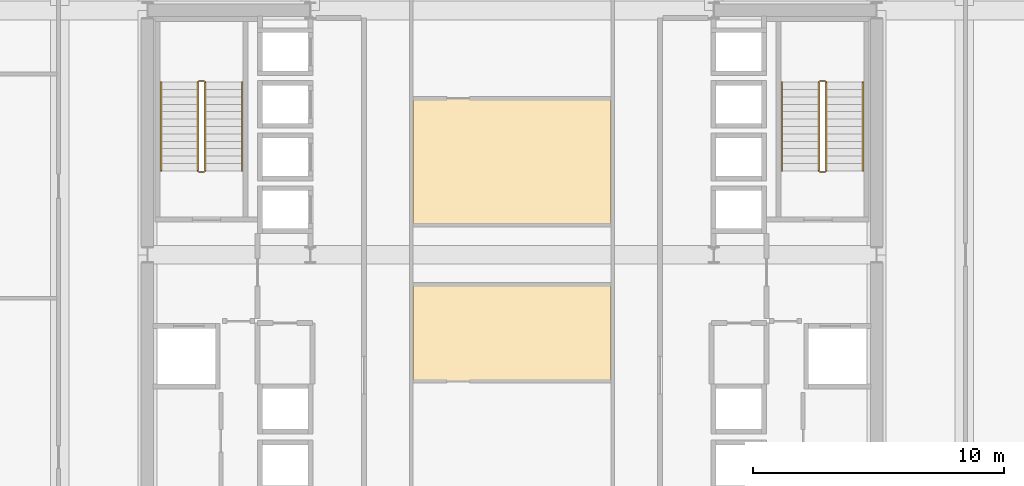
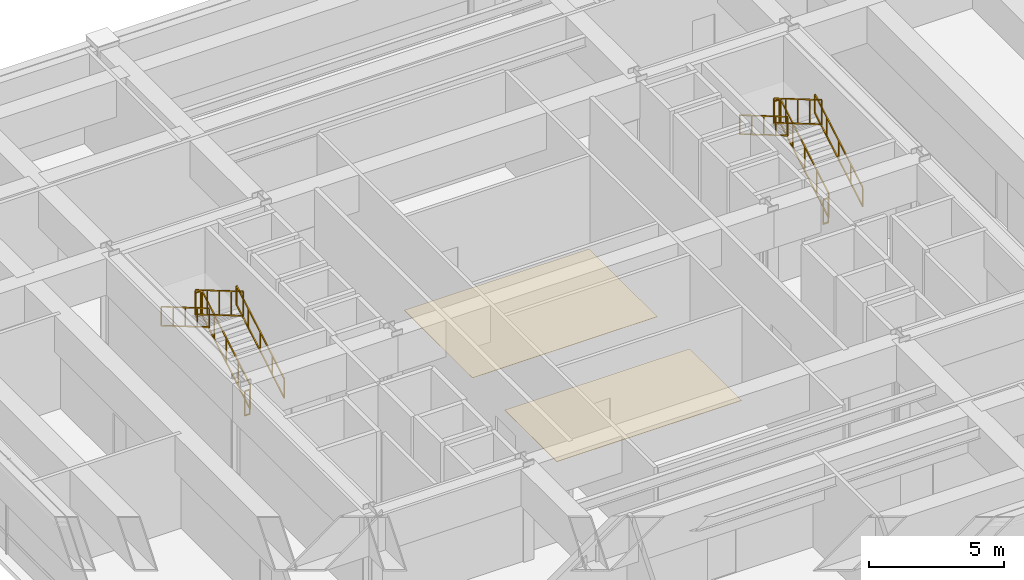
# One storey, part 29 of 29: 12 railings, 2 coverings.
"""IFC4 building model written with IfcOpenShell, lengths in metres."""

from ifc_helpers import new_model, si_unit, direction, frame, origin, origin_2d, place, context, subcontext, project, spatial, polyline, rectangle, outline, extrude, material, layer, layer_set, type_object, element, save


model = new_model("IFC4")

# Units and contexts
model_context = context("Model", 3, precision=1e-05, world=origin(), true_north=direction((0.0, 1.0)))
body_context = subcontext(model_context, "Body", "Model", "MODEL_VIEW")
ifc_project = project(units=[si_unit("LENGTHUNIT", "METRE"), si_unit("AREAUNIT", "SQUARE_METRE"), si_unit("VOLUMEUNIT", "CUBIC_METRE"), si_unit("PLANEANGLEUNIT", "RADIAN"), si_unit("MASSUNIT", "GRAM", prefix="KILO")], contexts=[model_context])

# Site, building, storey
site_placement = place(None, origin())
site = spatial("IfcSite", under=ifc_project, at=site_placement, CompositionType="ELEMENT")
building_placement = place(site_placement, origin())
building = spatial("IfcBuilding", under=site, at=building_placement, Name="Brelmoor Portico Tower", CompositionType="ELEMENT")
storey_placement = place(building_placement, frame((0.0, 0.0, 82.800048828125)))
storey = spatial("IfcBuildingStorey", under=building, at=storey_placement, Name="L21", CompositionType="ELEMENT", Elevation=82.800048828125)

# Coverings
ifc_material_1 = material(Name="Solution-Dyed Nylon Acoustic Carpet Tile", Category="textile")
ifc_layer_1 = layer(ifc_material_1, 0.013916015625)
ifc_layer_set_1 = layer_set([ifc_layer_1], Name="Solution-Dyed Nylon Acoustic Carpet Tile")
covering_type_1 = type_object("IfcCoveringType", Name="CV-FLR-CARPET-14", PredefinedType="FLOORING", material=ifc_layer_set_1)
covering_1_placement = place(storey_placement, origin())
element("IfcCovering", 1, at=covering_1_placement, inside=storey, type_object=covering_type_1, Name="L21 Architectural Floor Finish 01", PredefinedType="FLOORING", context=body_context, shape_type="SweptSolid", body=[
    extrude(outline(polyline([(-3.9599609375, 1.199951171875), (-3.9599609375, 6.260009765625), (3.9599609375, 6.260009765625), (3.9599609375, 1.199951171875), (-3.9599609375, 1.199951171875)])), origin(), (0.0, 0.0, 1.0), 0.013916015625),
])
ifc_material_2 = material(Name="Rectified Vitrified Porcelain Floor Tile", Category="ceramic")
ifc_layer_2 = layer(ifc_material_2, 0.01806640625)
ifc_layer_set_2 = layer_set([ifc_layer_2], Name="Rectified Vitrified Porcelain Floor Tile")
covering_type_2 = type_object("IfcCoveringType", Name="CV-FLR-PORCELAIN-18", PredefinedType="FLOORING", material=ifc_layer_set_2)
covering_2_placement = place(storey_placement, origin())
element("IfcCovering", 2, at=covering_2_placement, inside=storey, type_object=covering_type_2, Name="L21 Architectural Floor Finish 02", PredefinedType="FLOORING", context=body_context, shape_type="SweptSolid", body=[
    extrude(outline(polyline([(-3.9599609375, -5.06005859375), (-3.9599609375, -1.199951171875), (3.9599609375, -1.199951171875), (3.9599609375, -5.06005859375), (-3.9599609375, -5.06005859375)])), origin(), (0.0, 0.0, 1.0), 0.01806640625),
])

# Railings
ifc_material_3 = material(Name="Painted Tubular Steel Q235B", Category="steel")
railing_type_1 = type_object("IfcRailingType", Name="RL-STAIR-GUARD", PredefinedType="GUARDRAIL", material=ifc_material_3)
railing_1_placement = place(storey_placement, frame((-12.239990234375, 3.35009765625, 0.173095703125)))
element("IfcRailing", 3, at=railing_1_placement, inside=storey, type_object=railing_type_1, Name="L21 ST-W stair guard 1", PredefinedType="GUARDRAIL", context=body_context, shape_type="SweptSolid", body=[
    extrude(rectangle(XDim=0.048095703125, YDim=0.048095703125, at=origin_2d()), frame((0.0, 0.0, 1.1259765625), z_axis=(0.0, 0.862501018769, 0.506055325654), x_axis=(-1.0, 0.0, 0.0)), (0.0, 0.0, 1.0), 4.10400390625),
    extrude(rectangle(XDim=0.048095703125, YDim=0.048095703125, at=origin_2d()), frame((0.0, 0.0, 0.02392578125), z_axis=(0.0, 0.862501018769, 0.506055325654), x_axis=(-1.0, 0.0, 0.0)), (0.0, 0.0, 1.0), 4.10400390625),
    extrude(rectangle(XDim=0.0419921875, YDim=0.0419921875, at=origin_2d()), origin(), (0.0, 0.0, 1.0), 1.101806640625),
    extrude(rectangle(XDim=0.0419921875, YDim=0.0419921875, at=origin_2d()), frame((0.0, 0.885009765625, 0.519287109375)), (0.0, 0.0, 1.0), 1.101806640625),
    extrude(rectangle(XDim=0.0419921875, YDim=0.0419921875, at=origin_2d()), frame((0.0, 1.77001953125, 1.03857421875)), (0.0, 0.0, 1.0), 1.101806640625),
    extrude(rectangle(XDim=0.0419921875, YDim=0.0419921875, at=origin_2d()), frame((0.0, 2.65478515625, 1.5576171875)), (0.0, 0.0, 1.0), 1.101806640625),
    extrude(rectangle(XDim=0.0419921875, YDim=0.0419921875, at=origin_2d()), frame((0.0, 3.539794921875, 2.076904296875)), (0.0, 0.0, 1.0), 1.101806640625),
])
railing_2_placement = place(storey_placement, frame((-12.2900390625, 6.93994140625, 2.25)))
element("IfcRailing", 4, at=railing_2_placement, inside=storey, type_object=railing_type_1, Name="L21 ST-W stair guard 2", PredefinedType="GUARDRAIL", context=body_context, shape_type="SweptSolid", body=[
    extrude(rectangle(XDim=0.048095703125, YDim=0.048095703125, at=origin_2d()), frame((0.0, 0.0, 1.1259765625), z_axis=(-1.0, 0.0, 0.0), x_axis=(0.0, -1.0, 0.0)), (0.0, 0.0, 1.0), 0.199951171875),
    extrude(rectangle(XDim=0.048095703125, YDim=0.048095703125, at=origin_2d()), frame((0.0, 0.0, 0.02392578125), z_axis=(-1.0, 0.0, 0.0), x_axis=(0.0, -1.0, 0.0)), (0.0, 0.0, 1.0), 0.199951171875),
    extrude(rectangle(XDim=0.0419921875, YDim=0.0419921875, at=origin_2d()), origin(), (0.0, 0.0, 1.0), 1.101806640625),
    extrude(rectangle(XDim=0.0419921875, YDim=0.0419921875, at=origin_2d()), frame((-0.199951171875, 0.0, 0.0)), (0.0, 0.0, 1.0), 1.101806640625),
])
railing_3_placement = place(storey_placement, frame((-12.5400390625, 6.889892578125, 2.423095703125)))
element("IfcRailing", 5, at=railing_3_placement, inside=storey, type_object=railing_type_1, Name="L21 ST-W stair guard 3", PredefinedType="GUARDRAIL", context=body_context, shape_type="SweptSolid", body=[
    extrude(rectangle(XDim=0.048095703125, YDim=0.048095703125, at=origin_2d()), frame((0.0, 0.0, 1.1259765625), z_axis=(0.0, -0.862501018769, 0.506055325654), x_axis=(1.0, 0.0, 0.0)), (0.0, 0.0, 1.0), 4.10400390625),
    extrude(rectangle(XDim=0.048095703125, YDim=0.048095703125, at=origin_2d()), frame((0.0, 0.0, 0.02392578125), z_axis=(0.0, -0.862501018769, 0.506055325654), x_axis=(1.0, 0.0, 0.0)), (0.0, 0.0, 1.0), 4.10400390625),
    extrude(rectangle(XDim=0.0419921875, YDim=0.0419921875, at=origin_2d()), origin(), (0.0, 0.0, 1.0), 1.101806640625),
    extrude(rectangle(XDim=0.0419921875, YDim=0.0419921875, at=origin_2d()), frame((0.0, -0.885009765625, 0.519287109375)), (0.0, 0.0, 1.0), 1.101806640625),
    extrude(rectangle(XDim=0.0419921875, YDim=0.0419921875, at=origin_2d()), frame((0.0, -1.77001953125, 1.03857421875)), (0.0, 0.0, 1.0), 1.101806640625),
    extrude(rectangle(XDim=0.0419921875, YDim=0.0419921875, at=origin_2d()), frame((0.0, -2.65478515625, 1.5576171875)), (0.0, 0.0, 1.0), 1.101806640625),
    extrude(rectangle(XDim=0.0419921875, YDim=0.0419921875, at=origin_2d()), frame((0.0, -3.539794921875, 2.076904296875)), (0.0, 0.0, 1.0), 1.101806640625),
])
railing_4_placement = place(storey_placement, frame((-12.2900390625, 3.300048828125, 0.0)))
element("IfcRailing", 6, at=railing_4_placement, inside=storey, type_object=railing_type_1, Name="L21 ST-W stair guard 4", PredefinedType="GUARDRAIL", context=body_context, shape_type="SweptSolid", body=[
    extrude(rectangle(XDim=0.048095703125, YDim=0.048095703125, at=origin_2d()), frame((0.0, 0.0, 1.1259765625), z_axis=(-1.0, 0.0, 0.0), x_axis=(0.0, -1.0, 0.0)), (0.0, 0.0, 1.0), 0.199951171875),
    extrude(rectangle(XDim=0.048095703125, YDim=0.048095703125, at=origin_2d()), frame((0.0, 0.0, 0.02392578125), z_axis=(-1.0, 0.0, 0.0), x_axis=(0.0, -1.0, 0.0)), (0.0, 0.0, 1.0), 0.199951171875),
    extrude(rectangle(XDim=0.0419921875, YDim=0.0419921875, at=origin_2d()), origin(), (0.0, 0.0, 1.0), 1.101806640625),
    extrude(rectangle(XDim=0.0419921875, YDim=0.0419921875, at=origin_2d()), frame((-0.199951171875, 0.0, 0.0)), (0.0, 0.0, 1.0), 1.101806640625),
])
railing_5_placement = place(storey_placement, frame((12.5400390625, 3.35009765625, 0.173095703125)))
element("IfcRailing", 7, at=railing_5_placement, inside=storey, type_object=railing_type_1, Name="L21 ST-E stair guard 1", PredefinedType="GUARDRAIL", context=body_context, shape_type="SweptSolid", body=[
    extrude(rectangle(XDim=0.048095703125, YDim=0.048095703125, at=origin_2d()), frame((0.0, 0.0, 1.1259765625), z_axis=(0.0, 0.862501018769, 0.506055325654), x_axis=(-1.0, 0.0, 0.0)), (0.0, 0.0, 1.0), 4.10400390625),
    extrude(rectangle(XDim=0.048095703125, YDim=0.048095703125, at=origin_2d()), frame((0.0, 0.0, 0.02392578125), z_axis=(0.0, 0.862501018769, 0.506055325654), x_axis=(-1.0, 0.0, 0.0)), (0.0, 0.0, 1.0), 4.10400390625),
    extrude(rectangle(XDim=0.0419921875, YDim=0.0419921875, at=origin_2d()), origin(), (0.0, 0.0, 1.0), 1.101806640625),
    extrude(rectangle(XDim=0.0419921875, YDim=0.0419921875, at=origin_2d()), frame((0.0, 0.885009765625, 0.519287109375)), (0.0, 0.0, 1.0), 1.101806640625),
    extrude(rectangle(XDim=0.0419921875, YDim=0.0419921875, at=origin_2d()), frame((0.0, 1.77001953125, 1.03857421875)), (0.0, 0.0, 1.0), 1.101806640625),
    extrude(rectangle(XDim=0.0419921875, YDim=0.0419921875, at=origin_2d()), frame((0.0, 2.65478515625, 1.5576171875)), (0.0, 0.0, 1.0), 1.101806640625),
    extrude(rectangle(XDim=0.0419921875, YDim=0.0419921875, at=origin_2d()), frame((0.0, 3.539794921875, 2.076904296875)), (0.0, 0.0, 1.0), 1.101806640625),
])
railing_6_placement = place(storey_placement, frame((12.489990234375, 6.93994140625, 2.25)))
element("IfcRailing", 8, at=railing_6_placement, inside=storey, type_object=railing_type_1, Name="L21 ST-E stair guard 2", PredefinedType="GUARDRAIL", context=body_context, shape_type="SweptSolid", body=[
    extrude(rectangle(XDim=0.048095703125, YDim=0.048095703125, at=origin_2d()), frame((0.0, 0.0, 1.1259765625), z_axis=(-1.0, 0.0, 0.0), x_axis=(0.0, -1.0, 0.0)), (0.0, 0.0, 1.0), 0.199951171875),
    extrude(rectangle(XDim=0.048095703125, YDim=0.048095703125, at=origin_2d()), frame((0.0, 0.0, 0.02392578125), z_axis=(-1.0, 0.0, 0.0), x_axis=(0.0, -1.0, 0.0)), (0.0, 0.0, 1.0), 0.199951171875),
    extrude(rectangle(XDim=0.0419921875, YDim=0.0419921875, at=origin_2d()), origin(), (0.0, 0.0, 1.0), 1.101806640625),
    extrude(rectangle(XDim=0.0419921875, YDim=0.0419921875, at=origin_2d()), frame((-0.199951171875, 0.0, 0.0)), (0.0, 0.0, 1.0), 1.101806640625),
])
railing_7_placement = place(storey_placement, frame((12.239990234375, 6.889892578125, 2.423095703125)))
element("IfcRailing", 9, at=railing_7_placement, inside=storey, type_object=railing_type_1, Name="L21 ST-E stair guard 3", PredefinedType="GUARDRAIL", context=body_context, shape_type="SweptSolid", body=[
    extrude(rectangle(XDim=0.048095703125, YDim=0.048095703125, at=origin_2d()), frame((0.0, 0.0, 1.1259765625), z_axis=(0.0, -0.862501018769, 0.506055325654), x_axis=(1.0, 0.0, 0.0)), (0.0, 0.0, 1.0), 4.10400390625),
    extrude(rectangle(XDim=0.048095703125, YDim=0.048095703125, at=origin_2d()), frame((0.0, 0.0, 0.02392578125), z_axis=(0.0, -0.862501018769, 0.506055325654), x_axis=(1.0, 0.0, 0.0)), (0.0, 0.0, 1.0), 4.10400390625),
    extrude(rectangle(XDim=0.0419921875, YDim=0.0419921875, at=origin_2d()), origin(), (0.0, 0.0, 1.0), 1.101806640625),
    extrude(rectangle(XDim=0.0419921875, YDim=0.0419921875, at=origin_2d()), frame((0.0, -0.885009765625, 0.519287109375)), (0.0, 0.0, 1.0), 1.101806640625),
    extrude(rectangle(XDim=0.0419921875, YDim=0.0419921875, at=origin_2d()), frame((0.0, -1.77001953125, 1.03857421875)), (0.0, 0.0, 1.0), 1.101806640625),
    extrude(rectangle(XDim=0.0419921875, YDim=0.0419921875, at=origin_2d()), frame((0.0, -2.65478515625, 1.5576171875)), (0.0, 0.0, 1.0), 1.101806640625),
    extrude(rectangle(XDim=0.0419921875, YDim=0.0419921875, at=origin_2d()), frame((0.0, -3.539794921875, 2.076904296875)), (0.0, 0.0, 1.0), 1.101806640625),
])
railing_8_placement = place(storey_placement, frame((12.489990234375, 3.300048828125, 0.0)))
element("IfcRailing", 10, at=railing_8_placement, inside=storey, type_object=railing_type_1, Name="L21 ST-E stair guard 4", PredefinedType="GUARDRAIL", context=body_context, shape_type="SweptSolid", body=[
    extrude(rectangle(XDim=0.048095703125, YDim=0.048095703125, at=origin_2d()), frame((0.0, 0.0, 1.1259765625), z_axis=(-1.0, 0.0, 0.0), x_axis=(0.0, -1.0, 0.0)), (0.0, 0.0, 1.0), 0.199951171875),
    extrude(rectangle(XDim=0.048095703125, YDim=0.048095703125, at=origin_2d()), frame((0.0, 0.0, 0.02392578125), z_axis=(-1.0, 0.0, 0.0), x_axis=(0.0, -1.0, 0.0)), (0.0, 0.0, 1.0), 0.199951171875),
    extrude(rectangle(XDim=0.0419921875, YDim=0.0419921875, at=origin_2d()), origin(), (0.0, 0.0, 1.0), 1.101806640625),
    extrude(rectangle(XDim=0.0419921875, YDim=0.0419921875, at=origin_2d()), frame((-0.199951171875, 0.0, 0.0)), (0.0, 0.0, 1.0), 1.101806640625),
])
ifc_material_4 = material(Name="Brushed Stainless Steel 304", Category="steel")
railing_type_2 = type_object("IfcRailingType", Name="RL-STAIR-HANDRAIL", PredefinedType="HANDRAIL", material=ifc_material_4)
railing_9_placement = place(storey_placement, frame((-10.780029296875, 3.35009765625, 0.173095703125)))
element("IfcRailing", 11, at=railing_9_placement, inside=storey, type_object=railing_type_2, Name="L21 ST-W stair handrail 1", PredefinedType="HANDRAIL", context=body_context, shape_type="SweptSolid", body=[
    extrude(rectangle(XDim=0.048095703125, YDim=0.048095703125, at=origin_2d()), frame((0.0, 0.0, 0.8759765625), z_axis=(0.0, 0.862501018769, 0.506055325654), x_axis=(-1.0, 0.0, 0.0)), (0.0, 0.0, 1.0), 4.10400390625),
    extrude(rectangle(XDim=0.048095703125, YDim=0.048095703125, at=origin_2d()), frame((0.0, 0.0, 0.02392578125), z_axis=(0.0, 0.862501018769, 0.506055325654), x_axis=(-1.0, 0.0, 0.0)), (0.0, 0.0, 1.0), 4.10400390625),
    extrude(rectangle(XDim=0.0419921875, YDim=0.0419921875, at=origin_2d()), origin(), (0.0, 0.0, 1.0), 0.851806640625),
    extrude(rectangle(XDim=0.0419921875, YDim=0.0419921875, at=origin_2d()), frame((0.0, 0.885009765625, 0.519287109375)), (0.0, 0.0, 1.0), 0.851806640625),
    extrude(rectangle(XDim=0.0419921875, YDim=0.0419921875, at=origin_2d()), frame((0.0, 1.77001953125, 1.03857421875)), (0.0, 0.0, 1.0), 0.851806640625),
    extrude(rectangle(XDim=0.0419921875, YDim=0.0419921875, at=origin_2d()), frame((0.0, 2.65478515625, 1.5576171875)), (0.0, 0.0, 1.0), 0.851806640625),
    extrude(rectangle(XDim=0.0419921875, YDim=0.0419921875, at=origin_2d()), frame((0.0, 3.539794921875, 2.076904296875)), (0.0, 0.0, 1.0), 0.851806640625),
])
railing_10_placement = place(storey_placement, frame((-14.0, 6.889892578125, 2.423095703125)))
element("IfcRailing", 12, at=railing_10_placement, inside=storey, type_object=railing_type_2, Name="L21 ST-W stair handrail 2", PredefinedType="HANDRAIL", context=body_context, shape_type="SweptSolid", body=[
    extrude(rectangle(XDim=0.048095703125, YDim=0.048095703125, at=origin_2d()), frame((0.0, 0.0, 0.8759765625), z_axis=(0.0, -0.862501018769, 0.506055325654), x_axis=(1.0, 0.0, 0.0)), (0.0, 0.0, 1.0), 4.10400390625),
    extrude(rectangle(XDim=0.048095703125, YDim=0.048095703125, at=origin_2d()), frame((0.0, 0.0, 0.02392578125), z_axis=(0.0, -0.862501018769, 0.506055325654), x_axis=(1.0, 0.0, 0.0)), (0.0, 0.0, 1.0), 4.10400390625),
    extrude(rectangle(XDim=0.0419921875, YDim=0.0419921875, at=origin_2d()), origin(), (0.0, 0.0, 1.0), 0.851806640625),
    extrude(rectangle(XDim=0.0419921875, YDim=0.0419921875, at=origin_2d()), frame((0.0, -0.885009765625, 0.519287109375)), (0.0, 0.0, 1.0), 0.851806640625),
    extrude(rectangle(XDim=0.0419921875, YDim=0.0419921875, at=origin_2d()), frame((0.0, -1.77001953125, 1.03857421875)), (0.0, 0.0, 1.0), 0.851806640625),
    extrude(rectangle(XDim=0.0419921875, YDim=0.0419921875, at=origin_2d()), frame((0.0, -2.65478515625, 1.5576171875)), (0.0, 0.0, 1.0), 0.851806640625),
    extrude(rectangle(XDim=0.0419921875, YDim=0.0419921875, at=origin_2d()), frame((0.0, -3.539794921875, 2.076904296875)), (0.0, 0.0, 1.0), 0.851806640625),
])
railing_11_placement = place(storey_placement, frame((14.0, 3.35009765625, 0.173095703125)))
element("IfcRailing", 13, at=railing_11_placement, inside=storey, type_object=railing_type_2, Name="L21 ST-E stair handrail 1", PredefinedType="HANDRAIL", context=body_context, shape_type="SweptSolid", body=[
    extrude(rectangle(XDim=0.048095703125, YDim=0.048095703125, at=origin_2d()), frame((0.0, 0.0, 0.8759765625), z_axis=(0.0, 0.862501018769, 0.506055325654), x_axis=(-1.0, 0.0, 0.0)), (0.0, 0.0, 1.0), 4.10400390625),
    extrude(rectangle(XDim=0.048095703125, YDim=0.048095703125, at=origin_2d()), frame((0.0, 0.0, 0.02392578125), z_axis=(0.0, 0.862501018769, 0.506055325654), x_axis=(-1.0, 0.0, 0.0)), (0.0, 0.0, 1.0), 4.10400390625),
    extrude(rectangle(XDim=0.0419921875, YDim=0.0419921875, at=origin_2d()), origin(), (0.0, 0.0, 1.0), 0.851806640625),
    extrude(rectangle(XDim=0.0419921875, YDim=0.0419921875, at=origin_2d()), frame((0.0, 0.885009765625, 0.519287109375)), (0.0, 0.0, 1.0), 0.851806640625),
    extrude(rectangle(XDim=0.0419921875, YDim=0.0419921875, at=origin_2d()), frame((0.0, 1.77001953125, 1.03857421875)), (0.0, 0.0, 1.0), 0.851806640625),
    extrude(rectangle(XDim=0.0419921875, YDim=0.0419921875, at=origin_2d()), frame((0.0, 2.65478515625, 1.5576171875)), (0.0, 0.0, 1.0), 0.851806640625),
    extrude(rectangle(XDim=0.0419921875, YDim=0.0419921875, at=origin_2d()), frame((0.0, 3.539794921875, 2.076904296875)), (0.0, 0.0, 1.0), 0.851806640625),
])
railing_12_placement = place(storey_placement, frame((10.780029296875, 6.889892578125, 2.423095703125)))
element("IfcRailing", 14, at=railing_12_placement, inside=storey, type_object=railing_type_2, Name="L21 ST-E stair handrail 2", PredefinedType="HANDRAIL", context=body_context, shape_type="SweptSolid", body=[
    extrude(rectangle(XDim=0.048095703125, YDim=0.048095703125, at=origin_2d()), frame((0.0, 0.0, 0.8759765625), z_axis=(0.0, -0.862501018769, 0.506055325654), x_axis=(1.0, 0.0, 0.0)), (0.0, 0.0, 1.0), 4.10400390625),
    extrude(rectangle(XDim=0.048095703125, YDim=0.048095703125, at=origin_2d()), frame((0.0, 0.0, 0.02392578125), z_axis=(0.0, -0.862501018769, 0.506055325654), x_axis=(1.0, 0.0, 0.0)), (0.0, 0.0, 1.0), 4.10400390625),
    extrude(rectangle(XDim=0.0419921875, YDim=0.0419921875, at=origin_2d()), origin(), (0.0, 0.0, 1.0), 0.851806640625),
    extrude(rectangle(XDim=0.0419921875, YDim=0.0419921875, at=origin_2d()), frame((0.0, -0.885009765625, 0.519287109375)), (0.0, 0.0, 1.0), 0.851806640625),
    extrude(rectangle(XDim=0.0419921875, YDim=0.0419921875, at=origin_2d()), frame((0.0, -1.77001953125, 1.03857421875)), (0.0, 0.0, 1.0), 0.851806640625),
    extrude(rectangle(XDim=0.0419921875, YDim=0.0419921875, at=origin_2d()), frame((0.0, -2.65478515625, 1.5576171875)), (0.0, 0.0, 1.0), 0.851806640625),
    extrude(rectangle(XDim=0.0419921875, YDim=0.0419921875, at=origin_2d()), frame((0.0, -3.539794921875, 2.076904296875)), (0.0, 0.0, 1.0), 0.851806640625),
])

save(model, "model.ifc")
